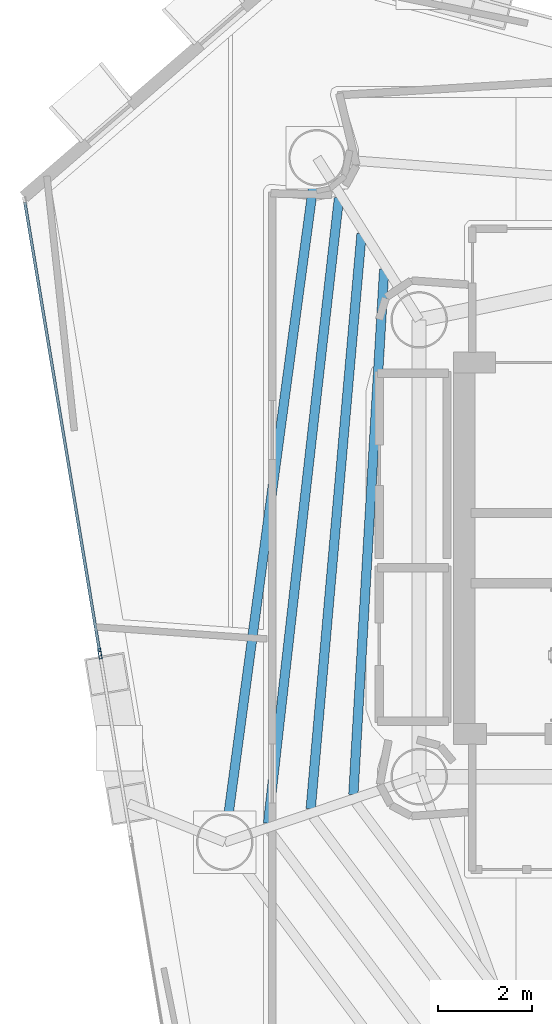
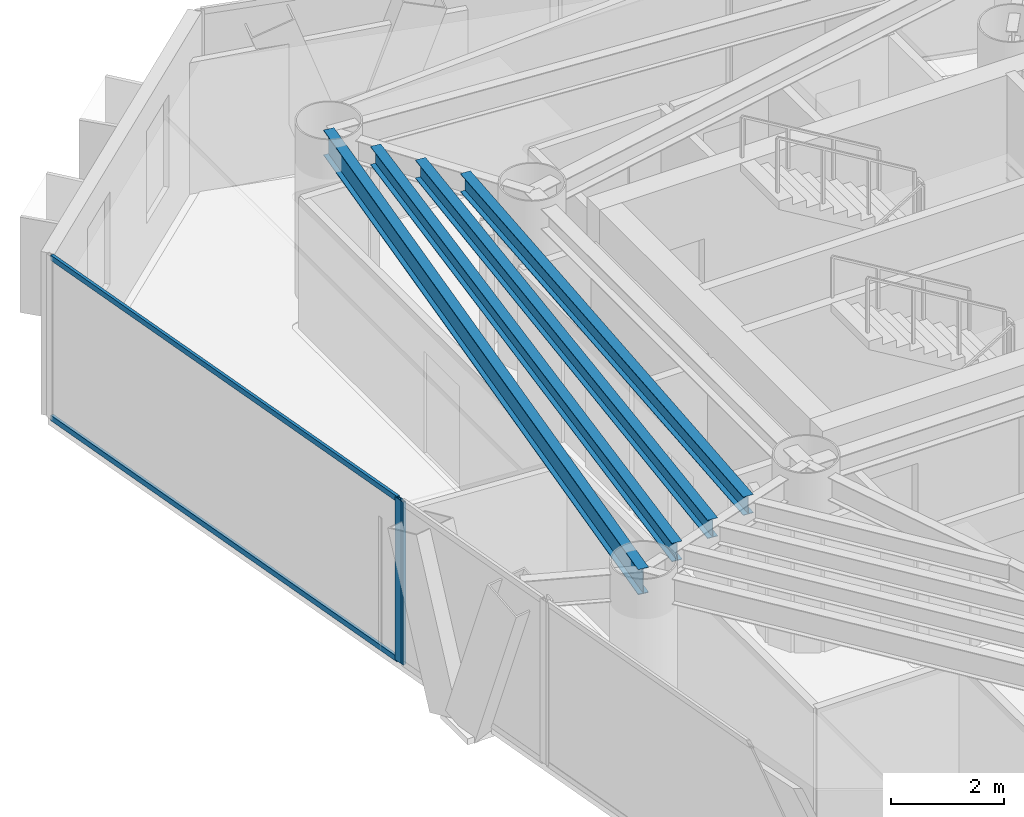
# One storey, part 7 of 21: 4 beams, 4 members, 2 elements without a shape of their own.
"""IFC4 building model written with IfcOpenShell, lengths in metres."""

from ifc_helpers import new_model, si_unit, direction, frame, origin, origin_2d, place, context, subcontext, project, spatial, hollow_rectangle, i_section, extrude, material, layer, layer_set, material_profile, profile_set, type_object, element, aggregate, save


model = new_model("IFC4")

# Units and contexts
model_context = context("Model", 3, precision=1e-05, world=origin(), true_north=direction((0.0, 1.0)))
body_context = subcontext(model_context, "Body", "Model", "MODEL_VIEW")
ifc_project = project(units=[si_unit("LENGTHUNIT", "METRE"), si_unit("AREAUNIT", "SQUARE_METRE"), si_unit("VOLUMEUNIT", "CUBIC_METRE"), si_unit("PLANEANGLEUNIT", "RADIAN"), si_unit("MASSUNIT", "GRAM", prefix="KILO")], contexts=[model_context])

# Site, building, storey
site_placement = place(None, origin())
site = spatial("IfcSite", under=ifc_project, at=site_placement, CompositionType="ELEMENT")
building_placement = place(site_placement, origin())
building = spatial("IfcBuilding", under=site, at=building_placement, Name="Qianvela Tower", CompositionType="ELEMENT")
storey_placement = place(building_placement, frame((0.0, 0.0, 189.199951171875)))
storey = spatial("IfcBuildingStorey", under=building, at=storey_placement, Name="L48", CompositionType="ELEMENT", Elevation=189.199951171875)

# Beams
ifc_material_1 = material(Name="Steel Q355B", Category="steel")
ifc_material_profile_1 = material_profile(ifc_material_1, i_section(OverallWidth=0.199951171875, OverallDepth=0.39990234375, WebThickness=0.008056640625, FlangeThickness=0.012939453125, at=origin_2d()), Name="HN400x200x8x13")
ifc_profile_set_1 = profile_set([ifc_material_profile_1], Name="Steel Q355B")
beam_type_1 = type_object("IfcBeamType", Name="BM-HN400-JOIST", PredefinedType="JOIST", material=ifc_profile_set_1)
beam_1_placement = place(storey_placement, frame((27.85693359375, 34.62451171875, 3.318115234375), z_axis=(-0.05861696358, -0.998280547532, 0.0), x_axis=(0.998280547532, -0.05861696358, 0.0)))
element("IfcBeam", 1, at=beam_1_placement, inside=storey, type_object=beam_type_1, Name="L48 Secondary Composite Floor Joist 3.1", PredefinedType="JOIST", context=body_context, shape_type="SweptSolid", body=[
    extrude(i_section(OverallWidth=0.199951171875, OverallDepth=0.39990234375, WebThickness=0.008056640625, FlangeThickness=0.012939453125, at=origin_2d()), origin(), (0.0, 0.0, 1.0), 11.170654296875),
])
beam_2_placement = place(storey_placement, frame((27.376953125, 35.3818359375, 3.318115234375), z_axis=(-0.088081491788, -0.996113272075, 0.0), x_axis=(0.996113272075, -0.088081491788, 0.0)))
element("IfcBeam", 2, at=beam_2_placement, inside=storey, type_object=beam_type_1, Name="L48 Secondary Composite Floor Joist 3.2", PredefinedType="JOIST", context=body_context, shape_type="SweptSolid", body=[
    extrude(i_section(OverallWidth=0.199951171875, OverallDepth=0.39990234375, WebThickness=0.008056640625, FlangeThickness=0.012939453125, at=origin_2d()), origin(), (0.0, 0.0, 1.0), 12.26220703125),
])
beam_3_placement = place(storey_placement, frame((26.8974609375, 36.139404296875, 3.318115234375), z_axis=(-0.112721124494, -0.993626664343, 0.0), x_axis=(0.993626664343, -0.112721124494, 0.0)))
element("IfcBeam", 3, at=beam_3_placement, inside=storey, type_object=beam_type_1, Name="L48 Secondary Composite Floor Joist 3.3", PredefinedType="JOIST", context=body_context, shape_type="SweptSolid", body=[
    extrude(i_section(OverallWidth=0.199951171875, OverallDepth=0.39990234375, WebThickness=0.008056640625, FlangeThickness=0.012939453125, at=origin_2d()), origin(), (0.0, 0.0, 1.0), 13.363525390625),
])
ifc_material_2 = material(Name="Steel Q355B", Category="steel")
ifc_material_profile_2 = material_profile(ifc_material_2, i_section(OverallWidth=0.199951171875, OverallDepth=0.550048828125, WebThickness=0.010009765625, FlangeThickness=0.01611328125, at=origin_2d()), Name="HN550x200x10x16")
ifc_profile_set_2 = profile_set([ifc_material_profile_2], Name="Steel Q355B")
beam_type_2 = type_object("IfcBeamType", Name="BM-HN550-GIRD", PredefinedType="BEAM", material=ifc_profile_set_2)
beam_4_placement = place(storey_placement, frame((26.430908203125, 36.991943359375, 3.2431640625), z_axis=(-0.133596613255, -0.991035793968, 0.0), x_axis=(0.991035793968, -0.133596613255, 0.0)))
element("IfcBeam", 4, at=beam_4_placement, inside=storey, type_object=beam_type_2, Name="L48 Perimeter Ring Spandrel Girder 3", PredefinedType="BEAM", context=body_context, shape_type="SweptSolid", body=[
    extrude(i_section(OverallWidth=0.199951171875, OverallDepth=0.550048828125, WebThickness=0.010009765625, FlangeThickness=0.01611328125, at=origin_2d()), origin(), (0.0, 0.0, 1.0), 14.663330078125),
])

# Curtain wall, member
ifc_material_3 = material(Name="Anodised Architectural Aluminium and Insulated Spandrel Panel", Category="aluminium")
ifc_layer_1 = layer(ifc_material_3, 0.179931640625)
ifc_layer_set_1 = layer_set([ifc_layer_1], Name="Anodised Architectural Aluminium and Insulated Spandrel Panel")
curtain_wall_type_1 = type_object("IfcCurtainWallType", Name="CW-BRACEBAY", PredefinedType="USERDEFINED", material=ifc_layer_set_1)
curtain_wall_1_placement = place(storey_placement, origin())
curtain_wall_1 = element("IfcCurtainWall", 5, at=curtain_wall_1_placement, inside=storey, type_object=curtain_wall_type_1, Name="L48 CW-BRACEBAY Curtain Wall 04B", ObjectType="CURTAIN_WALL_SYSTEM", PredefinedType="USERDEFINED")
ifc_material_4 = material(Name="Anodised Architectural Aluminium 6063-T6", Category="aluminium")
ifc_material_profile_3 = material_profile(ifc_material_4, hollow_rectangle(XDim=0.06494140625, YDim=0.159912109375, WallThickness=0.0048828125, at=origin_2d()), Name="ALU-MULL-65x160")
ifc_profile_set_3 = profile_set([ifc_material_profile_3], Name="Anodised Architectural Aluminium 6063-T6")
member_type_1 = type_object("IfcMemberType", Name="CW-BRACEBAY-MULL", PredefinedType="MULLION", material=ifc_profile_set_3)
member_1_placement = place(storey_placement, frame((21.82763671875, 26.43212890625, 0.0), z_axis=(0.0, 0.0, 1.0), x_axis=(0.986458738505, 0.16400962541, 0.0)))
member_1 = element("IfcMember", 6, at=member_1_placement, type_object=member_type_1, Name="CW-9 mullion 1", PredefinedType="MULLION", context=body_context, shape_type="SweptSolid", body=[
    extrude(hollow_rectangle(XDim=0.06494140625, YDim=0.159912109375, WallThickness=0.0048828125, at=origin_2d()), origin(), (0.0, 0.0, 1.0), 3.52001953125),
])
aggregate(curtain_wall_1, [member_1])

# Curtain wall, members
ifc_material_5 = material(Name="Anodised Architectural Aluminium and Low-E Glass", Category="aluminium")
ifc_layer_2 = layer(ifc_material_5, 0.159912109375)
ifc_layer_set_2 = layer_set([ifc_layer_2], Name="Anodised Architectural Aluminium and Low-E Glass")
curtain_wall_type_2 = type_object("IfcCurtainWallType", Name="CW-COLIV-Z56", PredefinedType="USERDEFINED", material=ifc_layer_set_2)
curtain_wall_2_placement = place(storey_placement, origin())
curtain_wall_2 = element("IfcCurtainWall", 7, at=curtain_wall_2_placement, inside=storey, type_object=curtain_wall_type_2, Name="L48 CW-COLIV-Z56 Curtain Wall 04A", ObjectType="CURTAIN_WALL_SYSTEM", PredefinedType="USERDEFINED")
ifc_material_6 = material(Name="Anodised Architectural Aluminium 6063-T6", Category="aluminium")
ifc_material_profile_4 = material_profile(ifc_material_6, hollow_rectangle(XDim=0.06494140625, YDim=0.159912109375, WallThickness=0.0048828125, at=origin_2d()), Name="ALU-MULL-65x160")
ifc_profile_set_4 = profile_set([ifc_material_profile_4], Name="Anodised Architectural Aluminium 6063-T6")
member_type_2 = type_object("IfcMemberType", Name="CW-COLIV-Z56-MULL", PredefinedType="MULLION", material=ifc_profile_set_4)
member_2_placement = place(storey_placement, frame((21.81689453125, 26.496337890625, 0.0), z_axis=(0.0, 0.0, 1.0), x_axis=(0.986457410298, 0.164017613898, 0.0)))
member_2 = element("IfcMember", 8, at=member_2_placement, type_object=member_type_2, Name="CW-5 mullion 2", PredefinedType="MULLION", context=body_context, shape_type="SweptSolid", body=[
    extrude(hollow_rectangle(XDim=0.06494140625, YDim=0.159912109375, WallThickness=0.0048828125, at=origin_2d()), origin(), (0.0, 0.0, 1.0), 3.52001953125),
])
ifc_material_7 = material(Name="Anodised Architectural Aluminium 6063-T6", Category="aluminium")
ifc_material_profile_5 = material_profile(ifc_material_7, hollow_rectangle(XDim=0.06005859375, YDim=0.114990234375, WallThickness=0.00390625, at=origin_2d()), Name="ALU-TRAN-60x115")
ifc_profile_set_5 = profile_set([ifc_material_profile_5], Name="Anodised Architectural Aluminium 6063-T6")
member_type_3 = type_object("IfcMemberType", Name="CW-COLIV-Z56-TRAN", PredefinedType="USERDEFINED", material=ifc_profile_set_5)
member_3_placement = place(storey_placement, frame((20.228759765625, 36.047607421875, 0.030029296875), z_axis=(0.164017429402, -0.986457440974, 0.0), x_axis=(0.986457440974, 0.164017429402, 0.0)))
member_3 = element("IfcMember", 9, at=member_3_placement, type_object=member_type_3, Name="CW-5 transom 1.1", ObjectType="TRANSOM", PredefinedType="USERDEFINED", context=body_context, shape_type="SweptSolid", body=[
    extrude(hollow_rectangle(XDim=0.06005859375, YDim=0.114990234375, WallThickness=0.00390625, at=origin_2d()), origin(), (0.0, 0.0, 1.0), 9.64990234375),
])
member_4_placement = place(storey_placement, frame((20.228759765625, 36.047607421875, 3.489990234375), z_axis=(0.164017429402, -0.986457440974, 0.0), x_axis=(0.986457440974, 0.164017429402, 0.0)))
member_4 = element("IfcMember", 10, at=member_4_placement, type_object=member_type_3, Name="CW-5 transom 1.2", ObjectType="TRANSOM", PredefinedType="USERDEFINED", context=body_context, shape_type="SweptSolid", body=[
    extrude(hollow_rectangle(XDim=0.06005859375, YDim=0.114990234375, WallThickness=0.00390625, at=origin_2d()), origin(), (0.0, 0.0, 1.0), 9.64990234375),
])
aggregate(curtain_wall_2, [member_2, member_3, member_4])

save(model, "model.ifc")
